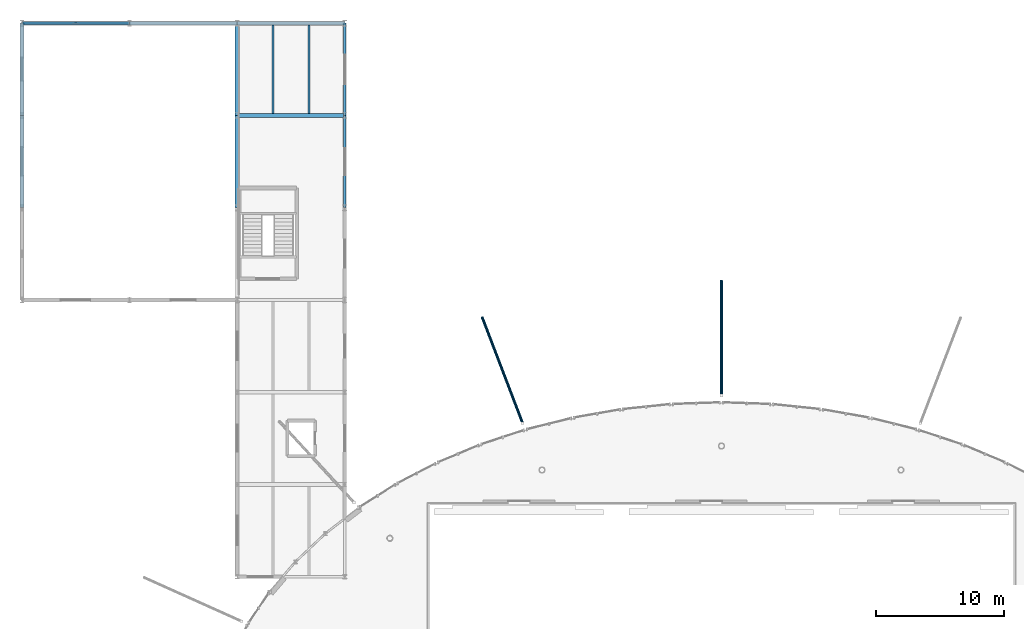
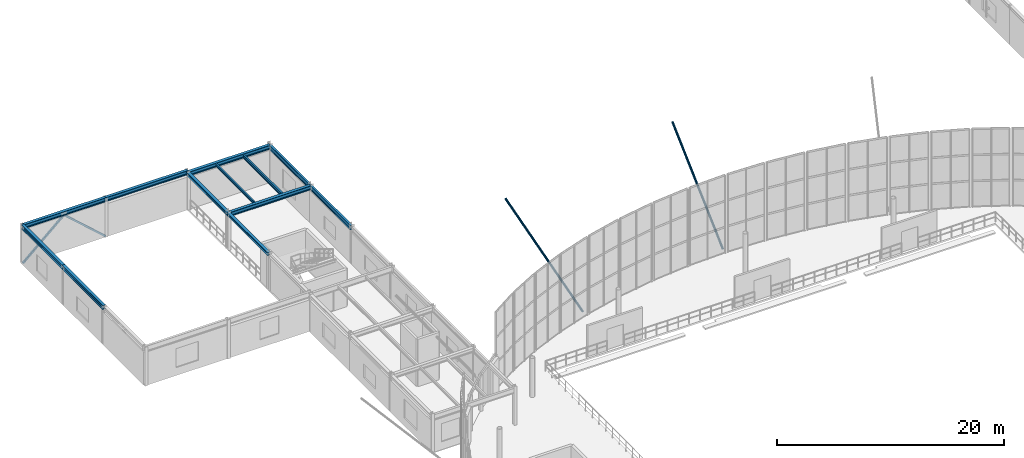
# One storey, part 38 of 109: 12 beams, 4 members.
"""IFC4 building model written with IfcOpenShell, lengths in metres."""

from ifc_helpers import new_model, si_unit, derived_unit, direction, frame, origin, origin_2d, place, context, subcontext, project, spatial, hollow_rectangle, hollow_circle, i_section, extrude, material, material_profile, profile_set, type_object, element, save


model = new_model("IFC4")

# Units and contexts
model_context = context("Model", 3, precision=1e-05, world=origin(), true_north=direction((0.0, 1.0)))
body_context = subcontext(model_context, "Body", "Model", "MODEL_VIEW")
ifc_project = project(units=[si_unit("LENGTHUNIT", "METRE"), si_unit("AREAUNIT", "SQUARE_METRE"), si_unit("VOLUMEUNIT", "CUBIC_METRE"), si_unit("PLANEANGLEUNIT", "RADIAN"), si_unit("MASSUNIT", "GRAM", prefix="KILO"), derived_unit("THERMALTRANSMITTANCEUNIT", [(si_unit("MASSUNIT", "GRAM", prefix="KILO"), 1), (si_unit("TIMEUNIT", "SECOND"), -3), (si_unit("THERMODYNAMICTEMPERATUREUNIT", "KELVIN"), -1)])], contexts=[model_context])

# Site, building, storey
site_placement = place(None, origin())
site = spatial("IfcSite", under=ifc_project, at=site_placement, CompositionType="ELEMENT")
building_placement = place(site_placement, origin())
building = spatial("IfcBuilding", under=site, at=building_placement, Name="Kharveza Railside Sports Centre", CompositionType="ELEMENT")
storey_placement = place(building_placement, frame((0.0, 0.0, 4.5)))
storey = spatial("IfcBuildingStorey", under=building, at=storey_placement, Name="L01", CompositionType="ELEMENT", Elevation=4.5)

# Beams
ifc_material = material(Name="Steel S355J2", Category="steel")
ifc_material_profile_1 = material_profile(ifc_material, i_section(OverallWidth=0.199951171875, OverallDepth=0.5, WebThickness=0.01025390625, FlangeThickness=0.01611328125, FilletRadius=0.02099609375, at=origin_2d()), Name="IPE 500")
ifc_profile_set_1 = profile_set([ifc_material_profile_1], Name="Steel S355J2")
beam_type_1 = type_object("IfcBeamType", Name="BM-G03", PredefinedType="T_BEAM", material=ifc_profile_set_1)
for number, where, z_axis, x_axis, name in (
    (1, (25.199951171875, 93.60009765625, 3.75), (0.0, 1.0, 0.0), (-1.0, 0.0, 0.0), "BM-NS-L01-B03-X252-Y936"),
    (2, (25.199951171875, 100.800048828125, 3.75), (0.0, 1.0, 0.0), (-1.0, 0.0, 0.0), "BM-NS-L01-B03-X252-Y1008"),
):
    element("IfcBeam", number, at=place(storey_placement, frame(where, z_axis=z_axis, x_axis=x_axis)), inside=storey, type_object=beam_type_1, Name=name, PredefinedType="T_BEAM", context=body_context, shape_type="SweptSolid", body=[
        extrude(i_section(OverallWidth=0.199951171875, OverallDepth=0.5, WebThickness=0.01025390625, FlangeThickness=0.01611328125, FilletRadius=0.02099609375, at=origin_2d()), origin(), (0.0, 0.0, 1.0), 7.199951171875),
    ])
ifc_material_profile_2 = material_profile(ifc_material, i_section(OverallWidth=0.300048828125, OverallDepth=0.449951171875, WebThickness=0.013916015625, FlangeThickness=0.02587890625, FilletRadius=0.027099609375, at=origin_2d()), Name="HEB 450")
ifc_profile_set_2 = profile_set([ifc_material_profile_2], Name="Steel S355J2")
beam_type_2 = type_object("IfcBeamType", Name="BM-G06", PredefinedType="T_BEAM", material=ifc_profile_set_2)
beam_1_placement = place(storey_placement, frame((16.800048828125, 100.800048828125, 3.77490234375), z_axis=(1.0, 0.0, 0.0), x_axis=(0.0, 1.0, 0.0)))
element("IfcBeam", 3, at=beam_1_placement, inside=storey, type_object=beam_type_2, Name="BM-EW-L01-B06-X168-Y1008", PredefinedType="T_BEAM", context=body_context, shape_type="SweptSolid", body=[
    extrude(i_section(OverallWidth=0.300048828125, OverallDepth=0.449951171875, WebThickness=0.013916015625, FlangeThickness=0.02587890625, FilletRadius=0.027099609375, at=origin_2d()), origin(), (0.0, 0.0, 1.0), 8.39990234375),
])
ifc_material_profile_3 = material_profile(ifc_material, i_section(OverallWidth=0.169921875, OverallDepth=0.360107421875, WebThickness=0.008056640625, FlangeThickness=0.0126953125, FilletRadius=0.01806640625, at=origin_2d()), Name="IPE 360")
ifc_profile_set_3 = profile_set([ifc_material_profile_3], Name="Steel S355J2")
beam_type_3 = type_object("IfcBeamType", Name="BM-S02", PredefinedType="BEAM", material=ifc_profile_set_3)
beam_2_placement = place(storey_placement, frame((22.39990234375, 100.947021484375, 3.820068359375), z_axis=(0.0, 1.0, 0.0), x_axis=(-1.0, 0.0, 0.0)))
element("IfcBeam", 4, at=beam_2_placement, inside=storey, type_object=beam_type_3, Name="BM-SEC-L01-B10-X224-Y1008", PredefinedType="BEAM", context=body_context, shape_type="SweptSolid", body=[
    extrude(i_section(OverallWidth=0.169921875, OverallDepth=0.360107421875, WebThickness=0.008056640625, FlangeThickness=0.0126953125, FilletRadius=0.01806640625, at=origin_2d()), origin(), (0.0, 0.0, 1.0), 6.906005859375),
])
ifc_material_profile_4 = material_profile(ifc_material, i_section(OverallWidth=0.135009765625, OverallDepth=0.27001953125, WebThickness=0.006591796875, FlangeThickness=0.01025390625, FilletRadius=0.014892578125, at=origin_2d()), Name="IPE 270")
ifc_profile_set_4 = profile_set([ifc_material_profile_4], Name="Steel S355J2")
beam_type_4 = type_object("IfcBeamType", Name="BM-S05", PredefinedType="BEAM", material=ifc_profile_set_4)
beam_3_placement = place(storey_placement, frame((19.60009765625, 100.947021484375, 3.864990234375), z_axis=(0.0, 1.0, 0.0), x_axis=(-1.0, 0.0, 0.0)))
element("IfcBeam", 5, at=beam_3_placement, inside=storey, type_object=beam_type_4, Name="BM-SEC-L01-B13-X196-Y1008", PredefinedType="BEAM", context=body_context, shape_type="SweptSolid", body=[
    extrude(i_section(OverallWidth=0.135009765625, OverallDepth=0.27001953125, WebThickness=0.006591796875, FlangeThickness=0.01025390625, FilletRadius=0.014892578125, at=origin_2d()), origin(), (0.0, 0.0, 1.0), 6.906005859375),
])
ifc_material_profile_5 = material_profile(ifc_material, i_section(OverallWidth=0.300048828125, OverallDepth=0.31005859375, WebThickness=0.009033203125, FlangeThickness=0.015380859375, FilletRadius=0.027099609375, at=origin_2d()), Name="HEA 320")
ifc_profile_set_5 = profile_set([ifc_material_profile_5], Name="Steel S355J2")
beam_type_5 = type_object("IfcBeamType", Name="BM-S06", PredefinedType="BEAM", material=ifc_profile_set_5)
for number, where, z_axis, x_axis, name in (
    (6, (16.800048828125, 93.60009765625, 3.844970703125), (0.0, 1.0, 0.0), (-1.0, 0.0, 0.0), "BM-NS-L01-B14-X168-Y936"),
    (7, (16.800048828125, 100.800048828125, 3.844970703125), (0.0, 1.0, 0.0), (-1.0, 0.0, 0.0), "BM-NS-L01-B14-X168-Y1008"),
):
    element("IfcBeam", number, at=place(storey_placement, frame(where, z_axis=z_axis, x_axis=x_axis)), inside=storey, type_object=beam_type_5, Name=name, PredefinedType="BEAM", context=body_context, shape_type="SweptSolid", body=[
        extrude(i_section(OverallWidth=0.300048828125, OverallDepth=0.31005859375, WebThickness=0.009033203125, FlangeThickness=0.015380859375, FilletRadius=0.027099609375, at=origin_2d()), origin(), (0.0, 0.0, 1.0), 7.199951171875),
    ])
ifc_material_profile_6 = material_profile(ifc_material, i_section(OverallWidth=0.300048828125, OverallDepth=0.43994140625, WebThickness=0.011474609375, FlangeThickness=0.02099609375, FilletRadius=0.027099609375, at=origin_2d()), Name="HEA 450")
ifc_profile_set_6 = profile_set([ifc_material_profile_6], Name="Steel S355J2")
beam_type_6 = type_object("IfcBeamType", Name="BM-SP01", PredefinedType="SPANDREL", material=ifc_profile_set_6)
for number, where, z_axis, x_axis, name in (
    (8, (0.0, 93.60009765625, 3.97998046875), (0.0, 1.0, 0.0), (-1.0, 0.0, 0.0), "BM-NS-L01-B15-X0-Y936"),
    (9, (0.0, 100.800048828125, 3.97998046875), (0.0, 1.0, 0.0), (-1.0, 0.0, 0.0), "BM-NS-L01-B15-X0-Y1008"),
):
    element("IfcBeam", number, at=place(storey_placement, frame(where, z_axis=z_axis, x_axis=x_axis)), inside=storey, type_object=beam_type_6, Name=name, PredefinedType="SPANDREL", context=body_context, shape_type="SweptSolid", body=[
        extrude(i_section(OverallWidth=0.300048828125, OverallDepth=0.43994140625, WebThickness=0.011474609375, FlangeThickness=0.02099609375, FilletRadius=0.027099609375, at=origin_2d()), origin(), (0.0, 0.0, 1.0), 7.199951171875),
    ])
beam_4_placement = place(storey_placement, frame((0.0, 108.0, 3.97998046875), z_axis=(1.0, 0.0, 0.0), x_axis=(0.0, 1.0, 0.0)))
element("IfcBeam", 10, at=beam_4_placement, inside=storey, type_object=beam_type_6, Name="BM-EW-L01-B15-X0-Y1080", PredefinedType="SPANDREL", context=body_context, shape_type="SweptSolid", body=[
    extrude(i_section(OverallWidth=0.300048828125, OverallDepth=0.43994140625, WebThickness=0.011474609375, FlangeThickness=0.02099609375, FilletRadius=0.027099609375, at=origin_2d()), origin(), (0.0, 0.0, 1.0), 8.39990234375),
])
beam_5_placement = place(storey_placement, frame((8.39990234375, 108.0, 3.97998046875), z_axis=(1.0, 0.0, 0.0), x_axis=(0.0, 1.0, 0.0)))
element("IfcBeam", 11, at=beam_5_placement, inside=storey, type_object=beam_type_6, Name="BM-EW-L01-B15-X84-Y1080", PredefinedType="SPANDREL", context=body_context, shape_type="SweptSolid", body=[
    extrude(i_section(OverallWidth=0.300048828125, OverallDepth=0.43994140625, WebThickness=0.011474609375, FlangeThickness=0.02099609375, FilletRadius=0.027099609375, at=origin_2d()), origin(), (0.0, 0.0, 1.0), 8.400146484375),
])
beam_6_placement = place(storey_placement, frame((16.800048828125, 108.0, 3.780029296875), z_axis=(1.0, 0.0, 0.0), x_axis=(0.0, 1.0, 0.0)))
element("IfcBeam", 12, at=beam_6_placement, inside=storey, type_object=beam_type_6, Name="BM-EW-L01-B15-X168-Y1080", PredefinedType="SPANDREL", context=body_context, shape_type="SweptSolid", body=[
    extrude(i_section(OverallWidth=0.300048828125, OverallDepth=0.43994140625, WebThickness=0.011474609375, FlangeThickness=0.02099609375, FilletRadius=0.027099609375, at=origin_2d()), origin(), (0.0, 0.0, 1.0), 8.39990234375),
])

# Members
ifc_material_profile_7 = material_profile(ifc_material, hollow_rectangle(XDim=0.179931640625, YDim=0.179931640625, WallThickness=0.010009765625, InnerFilletRadius=0.010009765625, OuterFilletRadius=0.02001953125, at=origin_2d()), Name="SHS 180x180x10.0")
ifc_profile_set_7 = profile_set([ifc_material_profile_7], Name="Steel S355J2")
member_type_1 = type_object("IfcMemberType", Name="MB-BR01", PredefinedType="BRACE", material=ifc_profile_set_7)
for number, where, z_axis, x_axis, name in (
    (13, (0.0, 108.0, 0.0), (0.745933814853, 0.0, 0.666020077669), (0.0, 1.0, 0.0), "MB-CHEV-EW-011A"),
    (14, (8.39990234375, 108.0, 0.0), (-0.745933814853, 0.0, 0.666020077669), (0.0, -1.0, 0.0), "MB-CHEV-EW-011B"),
):
    element("IfcMember", number, at=place(storey_placement, frame(where, z_axis=z_axis, x_axis=x_axis)), inside=storey, type_object=member_type_1, Name=name, PredefinedType="BRACE", context=body_context, shape_type="SweptSolid", body=[
        extrude(hollow_rectangle(XDim=0.179931640625, YDim=0.179931640625, WallThickness=0.010009765625, InnerFilletRadius=0.010009765625, OuterFilletRadius=0.02001953125, at=origin_2d()), origin(), (0.0, 0.0, 1.0), 5.63037109375),
    ])
ifc_material_profile_8 = material_profile(ifc_material, hollow_circle(Radius=0.109619140625, WallThickness=0.012451171875, at=origin_2d()), Name="CHS 219.1x12.5")
ifc_profile_set_8 = profile_set([ifc_material_profile_8], Name="Steel S355J2")
member_type_2 = type_object("IfcMemberType", Name="MB-ST01", PredefinedType="STRUT", material=ifc_profile_set_8)
member_1_placement = place(storey_placement, frame((54.60009765625, 78.949951171875, 0.0), z_axis=(0.0, 0.731185256611, 0.682178950507), x_axis=(-1.0, 0.0, 0.0)))
element("IfcMember", 15, at=member_1_placement, inside=storey, type_object=member_type_2, Name="MB-RAKER-LID-05", PredefinedType="STRUT", context=body_context, shape_type="SweptSolid", body=[
    extrude(hollow_circle(Radius=0.109619140625, WallThickness=0.012451171875, at=origin_2d()), origin(), (0.0, 0.0, 1.0), 12.240234375),
])
member_2_placement = place(storey_placement, frame((39.082275390625, 76.77685546875, 0.0), z_axis=(-0.259468777222, 0.679530509354, 0.686231914519), x_axis=(-0.934213038004, -0.356715572442, 0.0)))
element("IfcMember", 16, at=member_2_placement, inside=storey, type_object=member_type_2, Name="MB-RAKER-LID-06", PredefinedType="STRUT", context=body_context, shape_type="SweptSolid", body=[
    extrude(hollow_circle(Radius=0.109619140625, WallThickness=0.012451171875, at=origin_2d()), origin(), (0.0, 0.0, 1.0), 12.16796875),
])

save(model, "model.ifc")
